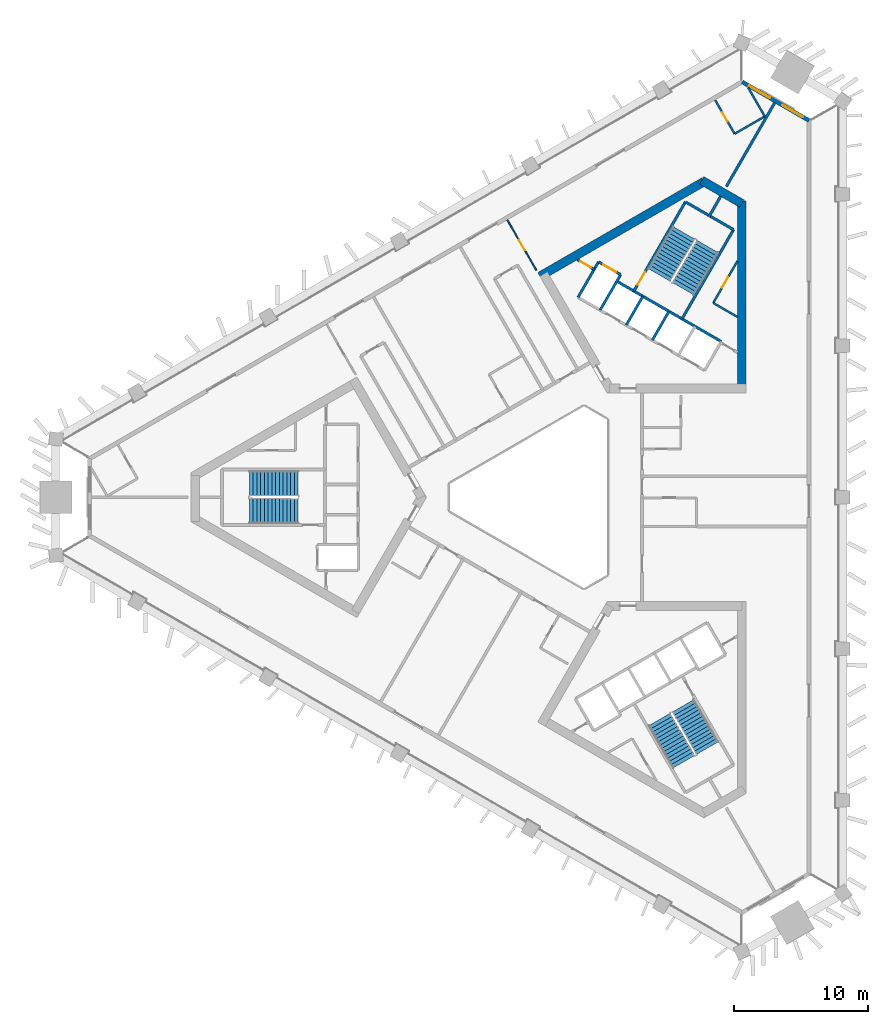
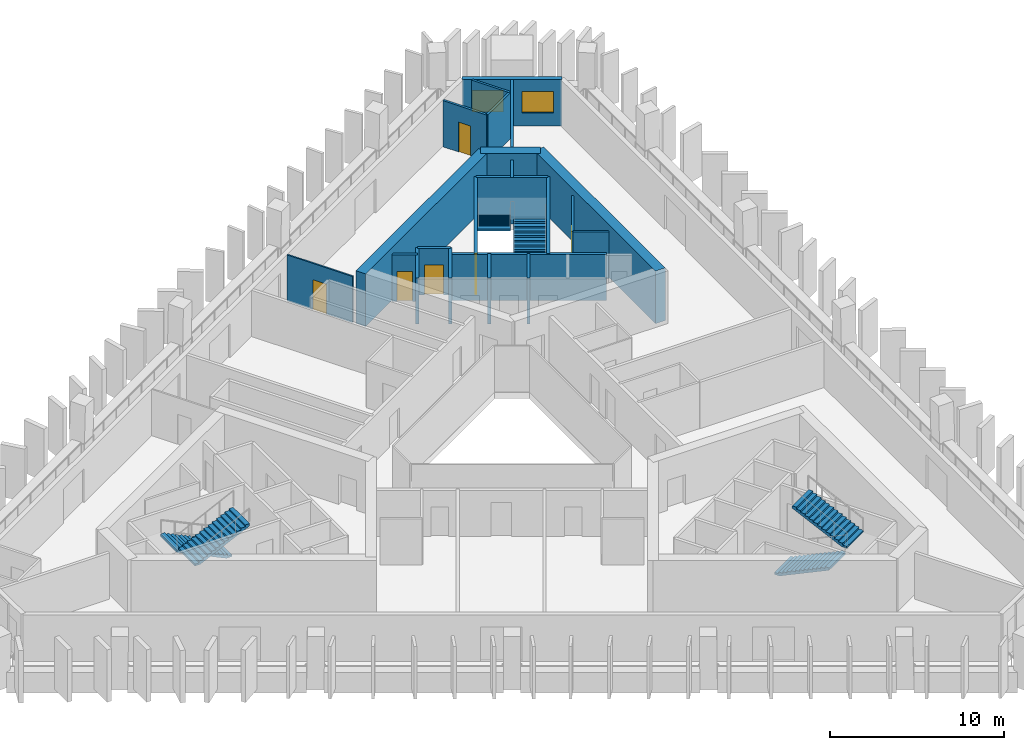
# One storey, part 6 of 10: 22 walls, 6 doors, 6 stair flights, 2 windows, 8 openings, 3 elements without a shape of their own.
"""IFC4 building model written with IfcOpenShell, lengths in metres."""

from ifc_helpers import new_model, si_unit, direction, frame, frame_2d, origin, place, context, subcontext, project, spatial, polyline, rectangle, outline, extrude, material, layer, layer_set, type_object, element, fill, aggregate, save


model = new_model("IFC4")

# Units and contexts
model_context = context("Model", 3, precision=1e-05, world=origin(), true_north=direction((0.0, 1.0)))
body_context = subcontext(model_context, "Body", "Model", "MODEL_VIEW")
ifc_project = project(units=[si_unit("LENGTHUNIT", "METRE"), si_unit("AREAUNIT", "SQUARE_METRE"), si_unit("VOLUMEUNIT", "CUBIC_METRE"), si_unit("PLANEANGLEUNIT", "RADIAN"), si_unit("MASSUNIT", "GRAM", prefix="KILO")], contexts=[model_context])

# Site, building, storey
site_placement = place(None, origin())
site = spatial("IfcSite", under=ifc_project, at=site_placement, CompositionType="ELEMENT")
building_placement = place(site_placement, origin())
building = spatial("IfcBuilding", under=site, at=building_placement, Name="Jabali Bay Hotel Tower and Convention Centre", CompositionType="ELEMENT")
storey_placement = place(building_placement, frame((0.0, 0.0, 125.300048828125)))
storey = spatial("IfcBuildingStorey", under=building, at=storey_placement, Name="L30", CompositionType="ELEMENT", Elevation=125.300048828125)

# Wall
ifc_material_1 = material(Name="Concrete C40", Category="concrete")
ifc_layer_1 = layer(ifc_material_1, 0.199951171875)
ifc_layer_set_1 = layer_set([ifc_layer_1], Name="Concrete C40")
wall_type_1 = type_object("IfcWallType", Name="Core partition wall 200", PredefinedType="PARTITIONING", material=ifc_layer_set_1)
wall_1_placement = place(storey_placement, frame((87.090087890625, 100.9404296875, 0.0), z_axis=(0.0, 0.0, 1.0), x_axis=(0.499944938281, 0.866057191349, 0.0)))
element("IfcWall", 1, at=wall_1_placement, inside=storey, type_object=wall_type_1, Name="Core wall 1.5 L30", PredefinedType="PARTITIONING", context=body_context, shape_type="SweptSolid", body=[
    extrude(rectangle(XDim=1.773193359375, YDim=0.199951171875, at=frame_2d((0.88671875, 0.0))), origin(), (0.0, 0.0, 1.0), 3.25),
])

# Wall, opening, door
wall_2_placement = place(storey_placement, frame((78.5302734375, 97.014404296875, 0.0), z_axis=(0.0, 0.0, 1.0), x_axis=(-0.866045896294, 0.499964504253, 0.0)))
wall_2 = element("IfcWall", 2, at=wall_2_placement, inside=storey, type_object=wall_type_1, Name="Core wall 1.12 L30", PredefinedType="PARTITIONING", context=body_context, shape_type="SweptSolid", body=[
    extrude(rectangle(XDim=1.455078125, YDim=0.199951171875, at=frame_2d((0.7275390625, 0.0))), origin(), (0.0, 0.0, 1.0), 3.25),
])
opening_1_placement = place(wall_2_placement, frame((0.277587890625, 0.0, 0.0)))
opening_1 = element("IfcOpeningElement", 3, at=opening_1_placement, cuts=wall_2, Name="Opening D670", PredefinedType="OPENING", context=body_context, shape_type="SweptSolid", body=[
    extrude(rectangle(XDim=0.89990234375, YDim=2.10009765625, at=frame_2d((0.449951171875, 1.050048828125))), frame((0.0, 0.1103515625, 0.0), z_axis=(0.0, -1.0, 0.0), x_axis=(1.0, 0.0, 0.0)), (0.0, 0.0, 1.0), 0.220947265625),
])
ifc_material_2 = material(Name="Fire-rated steel door", Category="steel")
door_type_1 = type_object("IfcDoorType", Name="Vestibule fire door 900 x 2100", OperationType="NOTDEFINED", PredefinedType="NOTDEFINED", material=ifc_material_2)
door_1_placement = place(opening_1_placement, origin())
door_1 = element("IfcDoor", 4, at=door_1_placement, inside=storey, type_object=door_type_1, Name="Vestibule fire door D670", OperationType="SINGLE_SWING_LEFT", OverallHeight=2.10009765625, OverallWidth=0.89990234375, PredefinedType="NOTDEFINED", context=body_context, shape_type="SweptSolid", body=[
    extrude(rectangle(XDim=0.89990234375, YDim=2.10009765625, at=frame_2d((0.449951171875, 1.050048828125))), frame((0.0, 0.02490234375, 0.0), z_axis=(0.0, -1.0, 0.0), x_axis=(1.0, 0.0, 0.0)), (0.0, 0.0, 1.0), 0.050048828125),
])
fill(opening_1, door_1)

ifc_material_3 = material(Name="Fire-rated board partition")
ifc_layer_2 = layer(ifc_material_3, 0.14990234375)
ifc_layer_set_2 = layer_set([ifc_layer_2], Name="Fire-rated board partition")
wall_type_2 = type_object("IfcWallType", Name="Core room partition 150", PredefinedType="PARTITIONING", material=ifc_layer_set_2)
wall_3_placement = place(storey_placement, frame((87.421142578125, 94.513916015625, 0.0), z_axis=(0.0, 0.0, 1.0), x_axis=(0.499993116331, 0.866029378036, 0.0)))
wall_3 = element("IfcWall", 5, at=wall_3_placement, inside=storey, type_object=wall_type_2, Name="Core wall 1.1 L30", PredefinedType="PARTITIONING", context=body_context, shape_type="SweptSolid", body=[
    extrude(rectangle(XDim=3.61767578125, YDim=0.14990234375, at=frame_2d((1.808837890625, 0.0))), origin(), (0.0, 0.0, 1.0), 3.25),
])
opening_2_placement = place(wall_3_placement, frame((1.33154296875, 0.0, 0.0)))
opening_2 = element("IfcOpeningElement", 6, at=opening_2_placement, cuts=wall_3, Name="Opening D673", PredefinedType="OPENING", context=body_context, shape_type="SweptSolid", body=[
    extrude(rectangle(XDim=0.89990234375, YDim=2.10009765625, at=frame_2d((0.449951171875, 1.050048828125))), frame((0.0, 0.08544921875, 0.0), z_axis=(0.0, -1.0, 0.0), x_axis=(1.0, 0.0, 0.0)), (0.0, 0.0, 1.0), 0.1708984375),
])
door_type_2 = type_object("IfcDoorType", Name="Core room door 900 x 2100", OperationType="NOTDEFINED", PredefinedType="NOTDEFINED", material=ifc_material_2)
door_2_placement = place(opening_2_placement, origin())
door_2 = element("IfcDoor", 7, at=door_2_placement, inside=storey, type_object=door_type_2, Name="Core room door D673", OperationType="SINGLE_SWING_LEFT", OverallHeight=2.10009765625, OverallWidth=0.89990234375, PredefinedType="NOTDEFINED", context=body_context, shape_type="SweptSolid", body=[
    extrude(rectangle(XDim=0.89990234375, YDim=2.10009765625, at=frame_2d((0.449951171875, 1.050048828125))), frame((0.0, 0.02490234375, 0.0), z_axis=(0.0, -1.0, 0.0), x_axis=(1.0, 0.0, 0.0)), (0.0, 0.0, 1.0), 0.050048828125),
])
fill(opening_2, door_2)

# Walls
wall_4_placement = place(storey_placement, frame((89.22998046875, 93.469482421875, 0.0), z_axis=(0.0, 0.0, 1.0), x_axis=(-0.866004557827, 0.500036104519, 0.0)))
element("IfcWall", 8, at=wall_4_placement, inside=storey, type_object=wall_type_2, Name="Core wall 1.15 L30", PredefinedType="PARTITIONING", context=body_context, shape_type="SweptSolid", body=[
    extrude(rectangle(XDim=2.088623046875, YDim=0.14990234375, at=frame_2d((1.04443359375, 0.0))), origin(), (0.0, 0.0, 1.0), 3.25),
])
ifc_layer_3 = layer(ifc_material_1, 0.199951171875)
ifc_layer_set_3 = layer_set([ifc_layer_3], Name="Concrete C40")
wall_type_3 = type_object("IfcWallType", Name="Core stair wall 200", PredefinedType="SOLIDWALL", material=ifc_layer_set_3)
wall_5_placement = place(storey_placement, frame((85.0869140625, 93.3212890625, 0.0), z_axis=(0.0, 0.0, 1.0), x_axis=(0.500019787375, 0.866013979237, 0.0)))
element("IfcWall", 9, at=wall_5_placement, inside=storey, type_object=wall_type_3, Name="Core wall 1.3 L30", PredefinedType="SOLIDWALL", context=body_context, shape_type="SweptSolid", body=[
    extrude(rectangle(XDim=7.699951171875, YDim=0.199951171875, at=frame_2d((3.85009765625, 0.0))), origin(), (0.0, 0.0, 1.0), 3.25),
])
for number, where, z_axis, x_axis, name in (
    (10, (82.872802734375, 91.73583984375, 0.0), (0.0, 0.0, 1.0), (0.499961042966, 0.86604789447, 0.0), "Core wall 1.4 L30"),
    (11, (80.924072265625, 92.86083984375, 0.0), (0.0, 0.0, 1.0), (0.499961042966, 0.86604789447, 0.0), "Core wall 1.6 L30"),
):
    element("IfcWall", number, at=place(storey_placement, frame(where, z_axis=z_axis, x_axis=x_axis)), inside=storey, type_object=wall_type_3, Name=name, PredefinedType="SOLIDWALL", context=body_context, shape_type="SweptSolid", body=[
        extrude(rectangle(XDim=2.480224609375, YDim=0.199951171875, at=frame_2d((1.240234375, 0.0))), origin(), (0.0, 0.0, 1.0), 3.25),
    ])

# Wall, opening, door
wall_6_placement = place(storey_placement, frame((81.492919921875, 95.396240234375, 0.0), z_axis=(0.0, 0.0, 1.0), x_axis=(0.500006057782, 0.866021906294, 0.0)))
wall_6 = element("IfcWall", 12, at=wall_6_placement, inside=storey, type_object=wall_type_3, Name="Core wall 1.7 L30", PredefinedType="SOLIDWALL", context=body_context, shape_type="SweptSolid", body=[
    extrude(rectangle(XDim=7.7001953125, YDim=0.199951171875, at=frame_2d((3.85009765625, 0.0))), origin(), (0.0, 0.0, 1.0), 3.25),
])
opening_3_placement = place(wall_6_placement, frame((0.550048828125, 0.0, 0.0)))
opening_3 = element("IfcOpeningElement", 13, at=opening_3_placement, cuts=wall_6, Name="Opening D672", PredefinedType="OPENING", context=body_context, shape_type="SweptSolid", body=[
    extrude(rectangle(XDim=1.10009765625, YDim=2.10009765625, at=frame_2d((0.550048828125, 1.050048828125))), frame((0.0, 0.1103515625, 0.0), z_axis=(0.0, -1.0, 0.0), x_axis=(1.0, 0.0, 0.0)), (0.0, 0.0, 1.0), 0.220947265625),
])
door_type_3 = type_object("IfcDoorType", Name="Stair fire door 1100 x 2100", OperationType="NOTDEFINED", PredefinedType="NOTDEFINED", material=ifc_material_2)
door_3_placement = place(opening_3_placement, origin())
door_3 = element("IfcDoor", 14, at=door_3_placement, inside=storey, type_object=door_type_3, Name="Stair fire door D672", OperationType="SINGLE_SWING_RIGHT", OverallHeight=2.10009765625, OverallWidth=1.10009765625, PredefinedType="NOTDEFINED", context=body_context, shape_type="SweptSolid", body=[
    extrude(rectangle(XDim=1.10009765625, YDim=2.10009765625, at=frame_2d((0.550048828125, 1.050048828125))), frame((0.0, 0.02490234375, 0.0), z_axis=(0.0, -1.0, 0.0), x_axis=(1.0, 0.0, 0.0)), (0.0, 0.0, 1.0), 0.050048828125),
])
fill(opening_3, door_3)

# Walls
for number, where, z_axis, x_axis, name in (
    (15, (78.9755859375, 93.98583984375, 0.0), (0.0, 0.0, 1.0), (0.499944174705, 0.866057632134, 0.0), "Core wall 1.8 L30"),
    (16, (77.330078125, 94.93603515625, 0.0), (0.0, 0.0, 1.0), (0.500038867431, 0.8660029625, 0.0), "Core wall 1.9 L30"),
):
    element("IfcWall", number, at=place(storey_placement, frame(where, z_axis=z_axis, x_axis=x_axis)), inside=storey, type_object=wall_type_3, Name=name, PredefinedType="SOLIDWALL", context=body_context, shape_type="SweptSolid", body=[
        extrude(rectangle(XDim=3.050048828125, YDim=0.199951171875, at=frame_2d((1.52490234375, 0.0))), origin(), (0.0, 0.0, 1.0), 3.25),
    ])
wall_7_placement = place(storey_placement, frame((88.009765625, 91.6337890625, 0.0), z_axis=(0.0, 0.0, 1.0), x_axis=(-0.866024315419, 0.5000018851, 0.0)))
element("IfcWall", 17, at=wall_7_placement, inside=storey, type_object=wall_type_3, Name="Core wall 1.13 L30", PredefinedType="SOLIDWALL", context=body_context, shape_type="SweptSolid", body=[
    extrude(rectangle(XDim=9.0, YDim=0.199951171875, at=frame_2d((4.5, 0.0))), origin(), (0.0, 0.0, 1.0), 3.25),
])

# Wall, opening, door
wall_8_placement = place(storey_placement, frame((80.50048828125, 96.62744140625, 0.0), z_axis=(0.0, 0.0, 1.0), x_axis=(-0.86601224135, 0.500022797313, 0.0)))
wall_8 = element("IfcWall", 18, at=wall_8_placement, inside=storey, type_object=wall_type_3, Name="Core wall 1.14 L30", PredefinedType="SOLIDWALL", context=body_context, shape_type="SweptSolid", body=[
    extrude(rectangle(XDim=1.89990234375, YDim=0.199951171875, at=frame_2d((0.949951171875, 0.0))), origin(), (0.0, 0.0, 1.0), 3.25),
])
opening_4_placement = place(wall_8_placement, frame((0.39990234375, 0.0, 0.0)))
opening_4 = element("IfcOpeningElement", 19, at=opening_4_placement, cuts=wall_8, Name="Opening LD10-L30", PredefinedType="OPENING", context=body_context, shape_type="SweptSolid", body=[
    extrude(rectangle(XDim=1.10009765625, YDim=2.10009765625, at=frame_2d((0.550048828125, 1.050048828125))), frame((0.0, 0.1103515625, 0.0), z_axis=(0.0, -1.0, 0.0), x_axis=(1.0, 0.0, 0.0)), (0.0, 0.0, 1.0), 0.220947265625),
])
ifc_material_4 = material(Name="Stainless steel landing door", Category="steel")
door_type_4 = type_object("IfcDoorType", Name="Landing door 1100 x 2100", OperationType="NOTDEFINED", PredefinedType="NOTDEFINED", material=ifc_material_4)
door_4_placement = place(opening_4_placement, origin())
door_4 = element("IfcDoor", 20, at=door_4_placement, inside=storey, type_object=door_type_4, Name="Landing doors LD10-L30", OperationType="SLIDING_TO_RIGHT", OverallHeight=2.10009765625, OverallWidth=1.10009765625, PredefinedType="NOTDEFINED", context=body_context, shape_type="SweptSolid", body=[
    extrude(rectangle(XDim=1.10009765625, YDim=2.10009765625, at=frame_2d((0.550048828125, 1.050048828125))), frame((0.0, 0.02490234375, 0.0), z_axis=(0.0, -1.0, 0.0), x_axis=(1.0, 0.0, 0.0)), (0.0, 0.0, 1.0), 0.050048828125),
])
fill(opening_4, door_4)

# Walls
wall_9_placement = place(storey_placement, frame((88.93701171875, 99.989501953125, 0.0), z_axis=(0.0, 0.0, 1.0), x_axis=(-0.866004344652, 0.500036473714, 0.0)))
element("IfcWall", 21, at=wall_9_placement, inside=storey, type_object=wall_type_3, Name="Core wall 1.16 L30", PredefinedType="SOLIDWALL", context=body_context, shape_type="SweptSolid", body=[
    extrude(rectangle(XDim=4.150146484375, YDim=0.199951171875, at=frame_2d((2.0751953125, 0.0))), origin(), (0.0, 0.0, 1.0), 3.25),
])
ifc_material_5 = material(Name="Concrete C60", Category="concrete")
ifc_layer_4 = layer(ifc_material_5, 0.64990234375)
ifc_layer_set_4 = layer_set([ifc_layer_4], Name="Concrete C60")
wall_type_4 = type_object("IfcWallType", Name="Core wall 650", PredefinedType="SHEAR", material=ifc_layer_set_4)
wall_10_placement = place(storey_placement, frame((89.554931640625, 88.119140625, 0.0), z_axis=(0.0, 0.0, 1.0), x_axis=(0.0, 1.0, 0.0)))
element("IfcWall", 22, at=wall_10_placement, inside=storey, type_object=wall_type_4, Name="Core wall 2.2 L30", PredefinedType="SHEAR", context=body_context, shape_type="SweptSolid", body=[
    extrude(rectangle(XDim=14.008544921875, YDim=0.64990234375, at=frame_2d((7.00439453125, 0.0))), origin(), (0.0, 0.0, 1.0), 3.699951171875),
])
wall_11_placement = place(storey_placement, frame((89.554931640625, 101.93994140625, 0.0), z_axis=(0.0, 0.0, 1.0), x_axis=(-0.866031550877, 0.499989352773, 0.0)))
element("IfcWall", 23, at=wall_11_placement, inside=storey, type_object=wall_type_4, Name="Core wall 2.3 L30", PredefinedType="SHEAR", context=body_context, shape_type="SweptSolid", body=[
    extrude(rectangle(XDim=3.45751953125, YDim=0.64990234375, at=frame_2d((1.728759765625, 0.0))), origin(), (0.0, 0.0, 1.0), 3.699951171875),
])
wall_12_placement = place(storey_placement, frame((86.72314453125, 103.574951171875, 0.0), z_axis=(0.0, 0.0, 1.0), x_axis=(-0.866031824457, -0.499988878904, 0.0)))
element("IfcWall", 24, at=wall_12_placement, inside=storey, type_object=wall_type_4, Name="Core wall 2.4 L30", PredefinedType="SHEAR", context=body_context, shape_type="SweptSolid", body=[
    extrude(rectangle(XDim=14.145751953125, YDim=0.64990234375, at=frame_2d((7.07275390625, 0.0))), origin(), (0.0, 0.0, 1.0), 3.699951171875),
])

# Wall, openings, windows
ifc_layer_5 = layer(ifc_material_1, 0.300048828125)
ifc_layer_set_5 = layer_set([ifc_layer_5], Name="Concrete C40")
wall_type_5 = type_object("IfcWallType", Name="External wall 300", PredefinedType="SOLIDWALL", material=ifc_layer_set_5)
wall_13_placement = place(storey_placement, frame((89.587646484375, 111.026611328125, 0.0), z_axis=(0.0, 0.0, 1.0), x_axis=(0.866033125095, -0.499986626058, 0.0)))
wall_13 = element("IfcWall", 25, at=wall_13_placement, inside=storey, type_object=wall_type_5, Name="External wall north-east chamfer L30", PredefinedType="SOLIDWALL", context=body_context, shape_type="SweptSolid", body=[
    extrude(rectangle(XDim=5.760009765625, YDim=0.300048828125, at=frame_2d((2.8798828125, 0.0))), origin(), (0.0, 0.0, 1.0), 3.25),
])
opening_5_placement = place(wall_13_placement, frame((0.579345703125, 0.0, 0.89990234375)))
opening_5 = element("IfcOpeningElement", 26, at=opening_5_placement, cuts=wall_13, Name="Opening W1", PredefinedType="OPENING", context=body_context, shape_type="SweptSolid", body=[
    extrude(rectangle(XDim=1.800048828125, YDim=1.5, at=frame_2d((0.89990234375, 0.75))), frame((0.0, 0.16064453125, 0.0), z_axis=(0.0, -1.0, 0.0), x_axis=(1.0, 0.0, 0.0)), (0.0, 0.0, 1.0), 0.321044921875),
])
opening_6_placement = place(wall_13_placement, frame((3.462646484375, 0.0, 0.89990234375)))
opening_6 = element("IfcOpeningElement", 27, at=opening_6_placement, cuts=wall_13, Name="Opening W1", PredefinedType="OPENING", context=body_context, shape_type="SweptSolid", body=[
    extrude(rectangle(XDim=1.800048828125, YDim=1.5, at=frame_2d((0.89990234375, 0.75))), frame((0.0, 0.16064453125, 0.0), z_axis=(0.0, -1.0, 0.0), x_axis=(1.0, 0.0, 0.0)), (0.0, 0.0, 1.0), 0.321044921875),
])
ifc_material_6 = material(Name="Glass", Category="glass")
window_type = type_object("IfcWindowType", Name="Window 1800 x 1500", PartitioningType="SINGLE_PANEL", PredefinedType="WINDOW", material=ifc_material_6)
window_1_placement = place(opening_5_placement, origin())
window_1 = element("IfcWindow", 28, at=window_1_placement, inside=storey, type_object=window_type, Name="Window 3004", OverallHeight=1.5, OverallWidth=1.800048828125, PartitioningType="SINGLE_PANEL", PredefinedType="WINDOW", context=body_context, shape_type="SweptSolid", body=[
    extrude(rectangle(XDim=1.800048828125, YDim=1.5, at=frame_2d((0.89990234375, 0.75))), frame((0.0, 0.030029296875, 0.0), z_axis=(0.0, -1.0, 0.0), x_axis=(1.0, 0.0, 0.0)), (0.0, 0.0, 1.0), 0.06005859375),
])
fill(opening_5, window_1)
window_2_placement = place(opening_6_placement, origin())
window_2 = element("IfcWindow", 29, at=window_2_placement, inside=storey, type_object=window_type, Name="Window 3003", OverallHeight=1.5, OverallWidth=1.800048828125, PartitioningType="SINGLE_PANEL", PredefinedType="WINDOW", context=body_context, shape_type="SweptSolid", body=[
    extrude(rectangle(XDim=1.800048828125, YDim=1.5, at=frame_2d((0.89990234375, 0.75))), frame((0.0, 0.030029296875, 0.0), z_axis=(0.0, -1.0, 0.0), x_axis=(1.0, 0.0, 0.0)), (0.0, 0.0, 1.0), 0.06005859375),
])
fill(opening_6, window_2)

# Wall, opening, door
ifc_material_7 = material(Name="Plasterboard on steel stud", Category="steel")
ifc_layer_6 = layer(ifc_material_7, 0.10009765625)
ifc_layer_set_6 = layer_set([ifc_layer_6], Name="Plasterboard on steel stud")
wall_type_6 = type_object("IfcWallType", Name="Partition 100 unit", PredefinedType="PARTITIONING", material=ifc_layer_set_6)
wall_14_placement = place(storey_placement, frame((74.21044921875, 96.955810546875, 0.0), z_axis=(0.0, 0.0, 1.0), x_axis=(-0.499955758317, 0.866050945225, 0.0)))
wall_14 = element("IfcWall", 30, at=wall_14_placement, inside=storey, type_object=wall_type_6, Name="Partition P02 L30 012", PredefinedType="PARTITIONING", context=body_context, shape_type="SweptSolid", body=[
    extrude(rectangle(XDim=4.34814453125, YDim=0.10009765625, at=frame_2d((2.174072265625, 0.0))), origin(), (0.0, 0.0, 1.0), 3.25),
])
opening_7_placement = place(wall_14_placement, frame((1.72412109375, 0.0, 0.0)))
opening_7 = element("IfcOpeningElement", 31, at=opening_7_placement, cuts=wall_14, Name="Opening 3008", PredefinedType="OPENING", context=body_context, shape_type="SweptSolid", body=[
    extrude(rectangle(XDim=0.89990234375, YDim=2.10009765625, at=frame_2d((0.449951171875, 1.050048828125))), frame((0.0, 0.060546875, 0.0), z_axis=(0.0, -1.0, 0.0), x_axis=(1.0, 0.0, 0.0)), (0.0, 0.0, 1.0), 0.12109375),
])
ifc_material_8 = material(Name="Timber", Category="wood")
door_type_5 = type_object("IfcDoorType", Name="Internal door 900 x 2100", OperationType="NOTDEFINED", PredefinedType="NOTDEFINED", material=ifc_material_8)
door_5_placement = place(opening_7_placement, origin())
door_5 = element("IfcDoor", 32, at=door_5_placement, inside=storey, type_object=door_type_5, Name="Door 3008", OperationType="SINGLE_SWING_RIGHT", OverallHeight=2.10009765625, OverallWidth=0.89990234375, PredefinedType="NOTDEFINED", context=body_context, shape_type="SweptSolid", body=[
    extrude(rectangle(XDim=0.89990234375, YDim=2.10009765625, at=frame_2d((0.449951171875, 1.050048828125))), frame((0.0, 0.02490234375, 0.0), z_axis=(0.0, -1.0, 0.0), x_axis=(1.0, 0.0, 0.0)), (0.0, 0.0, 1.0), 0.050048828125),
])
fill(opening_7, door_5)

# Walls
ifc_layer_7 = layer(ifc_material_7, 0.14990234375)
ifc_layer_set_7 = layer_set([ifc_layer_7], Name="Plasterboard on steel stud")
wall_type_7 = type_object("IfcWallType", Name="Partition 150 wet", PredefinedType="PARTITIONING", material=ifc_layer_set_7)
wall_15_placement = place(storey_placement, frame((90.031005859375, 110.5986328125, 0.0), z_axis=(0.0, 0.0, 1.0), x_axis=(0.500031783729, -0.866007052662, 0.0)))
element("IfcWall", 33, at=wall_15_placement, inside=storey, type_object=wall_type_7, Name="Partition P03 L30 017", PredefinedType="PARTITIONING", context=body_context, shape_type="SweptSolid", body=[
    extrude(rectangle(XDim=2.482177734375, YDim=0.14990234375, at=frame_2d((1.2412109375, 0.0))), origin(), (0.0, 0.0, 1.0), 3.25),
])
wall_16_placement = place(storey_placement, frame((91.272216796875, 108.448974609375, 0.0), z_axis=(0.0, 0.0, 1.0), x_axis=(-0.866021400173, -0.500006934395, 0.0)))
element("IfcWall", 34, at=wall_16_placement, inside=storey, type_object=wall_type_7, Name="Partition P03 L30 018", PredefinedType="PARTITIONING", context=body_context, shape_type="SweptSolid", body=[
    extrude(rectangle(XDim=2.60009765625, YDim=0.14990234375, at=frame_2d((1.300048828125, 0.0))), origin(), (0.0, 0.0, 1.0), 3.25),
])

# Wall, opening, door
wall_17_placement = place(storey_placement, frame((89.0205078125, 107.14892578125, 0.0), z_axis=(0.0, 0.0, 1.0), x_axis=(-0.499987231761, 0.866032775405, 0.0)))
wall_17 = element("IfcWall", 35, at=wall_17_placement, inside=storey, type_object=wall_type_7, Name="Partition P03 L30 019", PredefinedType="PARTITIONING", context=body_context, shape_type="SweptSolid", body=[
    extrude(rectangle(XDim=2.89990234375, YDim=0.14990234375, at=frame_2d((1.449951171875, 0.0))), origin(), (0.0, 0.0, 1.0), 3.25),
])
opening_8_placement = place(wall_17_placement, frame((1.050048828125, 0.0, 0.0)))
opening_8 = element("IfcOpeningElement", 36, at=opening_8_placement, cuts=wall_17, Name="Opening 3009", PredefinedType="OPENING", context=body_context, shape_type="SweptSolid", body=[
    extrude(rectangle(XDim=0.800048828125, YDim=2.10009765625, at=frame_2d((0.39990234375, 1.050048828125))), frame((0.0, 0.08544921875, 0.0), z_axis=(0.0, -1.0, 0.0), x_axis=(1.0, 0.0, 0.0)), (0.0, 0.0, 1.0), 0.1708984375),
])
door_type_6 = type_object("IfcDoorType", Name="En-suite door 800 x 2100", OperationType="NOTDEFINED", PredefinedType="NOTDEFINED", material=ifc_material_8)
door_6_placement = place(opening_8_placement, origin())
door_6 = element("IfcDoor", 37, at=door_6_placement, inside=storey, type_object=door_type_6, Name="Door 3009", OperationType="SINGLE_SWING_RIGHT", OverallHeight=2.10009765625, OverallWidth=0.800048828125, PredefinedType="NOTDEFINED", context=body_context, shape_type="SweptSolid", body=[
    extrude(rectangle(XDim=0.800048828125, YDim=2.10009765625, at=frame_2d((0.39990234375, 1.050048828125))), frame((0.0, 0.02490234375, 0.0), z_axis=(0.0, -1.0, 0.0), x_axis=(1.0, 0.0, 0.0)), (0.0, 0.0, 1.0), 0.050048828125),
])
fill(opening_8, door_6)

# Wall
ifc_layer_8 = layer(ifc_material_7, 0.199951171875)
ifc_layer_set_8 = layer_set([ifc_layer_8], Name="Plasterboard on steel stud")
wall_type_8 = type_object("IfcWallType", Name="Partition 200 party", PredefinedType="PARTITIONING", material=ifc_layer_set_8)
wall_18_placement = place(storey_placement, frame((92.00732421875, 109.45751953125, 0.0), z_axis=(0.0, 0.0, 1.0), x_axis=(-0.499987137981, -0.866032829547, 0.0)))
element("IfcWall", 38, at=wall_18_placement, inside=storey, type_object=wall_type_8, Name="Partition P01 L30 010", PredefinedType="PARTITIONING", context=body_context, shape_type="SweptSolid", body=[
    extrude(rectangle(XDim=7.212646484375, YDim=0.199951171875, at=frame_2d((3.6064453125, 0.0))), origin(), (0.0, 0.0, 1.0), 3.25),
])

# Stair, stair flights
stair_type = type_object("IfcStairType", Name="Exit stair 1900", PredefinedType="HALF_TURN_STAIR", material=ifc_material_1)
stair_1_placement = place(storey_placement, origin())
stair_1 = element("IfcStair", 39, at=stair_1_placement, inside=storey, type_object=stair_type, Name="L30 Exit Stair 1", PredefinedType="HALF_TURN_STAIR")
stair_flight_type = type_object("IfcStairFlightType", Name="Stair flight concrete 150", PredefinedType="STRAIGHT", material=ifc_material_1)
stair_flight_1_placement = place(storey_placement, frame((56.419921875, 81.02490234375, 0.0), z_axis=(0.0, 0.0, 1.0), x_axis=(-1.0, 0.0, 0.0)))
stair_flight_1 = element("IfcStairFlight", 40, at=stair_flight_1_placement, type_object=stair_flight_type, Name="ST1 flight 1", NumberOfRisers=14, NumberOfTreads=13, PredefinedType="STRAIGHT", RiserHeight=0.132142857, TreadLength=0.28, context=body_context, shape_type="SweptSolid", body=[
    extrude(outline(polyline([(0.0, 0.0), (0.0, 0.132080078125), (0.280029296875, 0.132080078125), (0.280029296875, 0.264404296875), (0.56005859375, 0.264404296875), (0.56005859375, 0.396484375), (0.840087890625, 0.396484375), (0.840087890625, 0.528564453125), (1.1201171875, 0.528564453125), (1.1201171875, 0.66064453125), (1.39990234375, 0.66064453125), (1.39990234375, 0.79296875), (1.679931640625, 0.79296875), (1.679931640625, 0.925048828125), (1.9599609375, 0.925048828125), (1.9599609375, 1.05712890625), (2.239990234375, 1.05712890625), (2.239990234375, 1.189208984375), (2.52001953125, 1.189208984375), (2.52001953125, 1.321533203125), (2.800048828125, 1.321533203125), (2.800048828125, 1.45361328125), (3.080078125, 1.45361328125), (3.080078125, 1.585693359375), (3.360107421875, 1.585693359375), (3.360107421875, 1.7177734375), (3.639892578125, 1.7177734375), (3.639892578125, 1.85009765625), (3.639892578125, 1.552001953125), (0.351318359375, 0.0), (0.0, 0.0)])), frame((0.0, 0.949951171875, 0.0), z_axis=(0.0, -1.0, 0.0), x_axis=(1.0, 0.0, 0.0)), (0.0, 0.0, 1.0), 1.89990234375),
])
stair_flight_2_placement = place(storey_placement, frame((52.780029296875, 78.97509765625, 1.849853515625), z_axis=(0.0, 0.0, 1.0), x_axis=(1.0, 0.0, 0.0)))
stair_flight_2 = element("IfcStairFlight", 41, at=stair_flight_2_placement, type_object=stair_flight_type, Name="ST1 flight 2", NumberOfRisers=14, NumberOfTreads=13, PredefinedType="STRAIGHT", RiserHeight=0.132142857, TreadLength=0.28, context=body_context, shape_type="SweptSolid", body=[
    extrude(outline(polyline([(0.0, 0.0), (0.0, 0.132080078125), (0.280029296875, 0.132080078125), (0.280029296875, 0.264404296875), (0.56005859375, 0.264404296875), (0.56005859375, 0.396484375), (0.840087890625, 0.396484375), (0.840087890625, 0.528564453125), (1.1201171875, 0.528564453125), (1.1201171875, 0.66064453125), (1.39990234375, 0.66064453125), (1.39990234375, 0.79296875), (1.679931640625, 0.79296875), (1.679931640625, 0.925048828125), (1.9599609375, 0.925048828125), (1.9599609375, 1.05712890625), (2.239990234375, 1.05712890625), (2.239990234375, 1.189208984375), (2.52001953125, 1.189208984375), (2.52001953125, 1.321533203125), (2.800048828125, 1.321533203125), (2.800048828125, 1.45361328125), (3.080078125, 1.45361328125), (3.080078125, 1.585693359375), (3.360107421875, 1.585693359375), (3.360107421875, 1.7177734375), (3.639892578125, 1.7177734375), (3.639892578125, 1.85009765625), (3.639892578125, 1.552001953125), (0.351318359375, 0.0), (0.0, 0.0)])), frame((0.0, 0.949951171875, 0.0), z_axis=(0.0, -1.0, 0.0), x_axis=(1.0, 0.0, 0.0)), (0.0, 0.0, 1.0), 1.89990234375),
])
aggregate(stair_1, [stair_flight_1, stair_flight_2])

stair_2_placement = place(storey_placement, origin())
stair_2 = element("IfcStair", 42, at=stair_2_placement, inside=storey, type_object=stair_type, Name="L30 Exit Stair 2", PredefinedType="HALF_TURN_STAIR")
stair_flight_3_placement = place(storey_placement, frame((85.177734375, 95.578369140625, 0.0), z_axis=(0.0, 0.0, 1.0), x_axis=(0.5, 0.866025403784, 0.0)))
stair_flight_3 = element("IfcStairFlight", 43, at=stair_flight_3_placement, type_object=stair_flight_type, Name="ST2 flight 1", NumberOfRisers=14, NumberOfTreads=13, PredefinedType="STRAIGHT", RiserHeight=0.132142857, TreadLength=0.28, context=body_context, shape_type="SweptSolid", body=[
    extrude(outline(polyline([(0.0, 0.0), (0.0, 0.132080078125), (0.280029296875, 0.132080078125), (0.280029296875, 0.264404296875), (0.56005859375, 0.264404296875), (0.56005859375, 0.396484375), (0.840087890625, 0.396484375), (0.840087890625, 0.528564453125), (1.1201171875, 0.528564453125), (1.1201171875, 0.66064453125), (1.39990234375, 0.66064453125), (1.39990234375, 0.79296875), (1.679931640625, 0.79296875), (1.679931640625, 0.925048828125), (1.9599609375, 0.925048828125), (1.9599609375, 1.05712890625), (2.239990234375, 1.05712890625), (2.239990234375, 1.189208984375), (2.52001953125, 1.189208984375), (2.52001953125, 1.321533203125), (2.800048828125, 1.321533203125), (2.800048828125, 1.45361328125), (3.080078125, 1.45361328125), (3.080078125, 1.585693359375), (3.360107421875, 1.585693359375), (3.360107421875, 1.7177734375), (3.639892578125, 1.7177734375), (3.639892578125, 1.85009765625), (3.639892578125, 1.552001953125), (0.351318359375, 0.0), (0.0, 0.0)])), frame((0.0, 0.949951171875, 0.0), z_axis=(0.0, -1.0, 0.0), x_axis=(1.0, 0.0, 0.0)), (0.0, 0.0, 1.0), 1.89990234375),
])
stair_flight_4_placement = place(storey_placement, frame((85.222412109375, 99.755615234375, 1.849853515625), z_axis=(0.0, 0.0, 1.0), x_axis=(-0.5, -0.866025403784, 0.0)))
stair_flight_4 = element("IfcStairFlight", 44, at=stair_flight_4_placement, type_object=stair_flight_type, Name="ST2 flight 2", NumberOfRisers=14, NumberOfTreads=13, PredefinedType="STRAIGHT", RiserHeight=0.132142857, TreadLength=0.28, context=body_context, shape_type="SweptSolid", body=[
    extrude(outline(polyline([(0.0, 0.0), (0.0, 0.132080078125), (0.280029296875, 0.132080078125), (0.280029296875, 0.264404296875), (0.56005859375, 0.264404296875), (0.56005859375, 0.396484375), (0.840087890625, 0.396484375), (0.840087890625, 0.528564453125), (1.1201171875, 0.528564453125), (1.1201171875, 0.66064453125), (1.39990234375, 0.66064453125), (1.39990234375, 0.79296875), (1.679931640625, 0.79296875), (1.679931640625, 0.925048828125), (1.9599609375, 0.925048828125), (1.9599609375, 1.05712890625), (2.239990234375, 1.05712890625), (2.239990234375, 1.189208984375), (2.52001953125, 1.189208984375), (2.52001953125, 1.321533203125), (2.800048828125, 1.321533203125), (2.800048828125, 1.45361328125), (3.080078125, 1.45361328125), (3.080078125, 1.585693359375), (3.360107421875, 1.585693359375), (3.360107421875, 1.7177734375), (3.639892578125, 1.7177734375), (3.639892578125, 1.85009765625), (3.639892578125, 1.552001953125), (0.351318359375, 0.0), (0.0, 0.0)])), frame((0.0, 0.949951171875, 0.0), z_axis=(0.0, -1.0, 0.0), x_axis=(1.0, 0.0, 0.0)), (0.0, 0.0, 1.0), 1.89990234375),
])
aggregate(stair_2, [stair_flight_3, stair_flight_4])

stair_3_placement = place(storey_placement, origin())
stair_3 = element("IfcStair", 45, at=stair_3_placement, inside=storey, type_object=stair_type, Name="L30 Exit Stair 3", PredefinedType="HALF_TURN_STAIR")
stair_flight_5_placement = place(storey_placement, frame((83.40234375, 63.396728515625, 0.0), z_axis=(0.0, 0.0, 1.0), x_axis=(0.5, -0.866025403784, 0.0)))
stair_flight_5 = element("IfcStairFlight", 46, at=stair_flight_5_placement, type_object=stair_flight_type, Name="ST3 flight 1", NumberOfRisers=14, NumberOfTreads=13, PredefinedType="STRAIGHT", RiserHeight=0.132142857, TreadLength=0.28, context=body_context, shape_type="SweptSolid", body=[
    extrude(outline(polyline([(0.0, 0.0), (0.0, 0.132080078125), (0.280029296875, 0.132080078125), (0.280029296875, 0.264404296875), (0.56005859375, 0.264404296875), (0.56005859375, 0.396484375), (0.840087890625, 0.396484375), (0.840087890625, 0.528564453125), (1.1201171875, 0.528564453125), (1.1201171875, 0.66064453125), (1.39990234375, 0.66064453125), (1.39990234375, 0.79296875), (1.679931640625, 0.79296875), (1.679931640625, 0.925048828125), (1.9599609375, 0.925048828125), (1.9599609375, 1.05712890625), (2.239990234375, 1.05712890625), (2.239990234375, 1.189208984375), (2.52001953125, 1.189208984375), (2.52001953125, 1.321533203125), (2.800048828125, 1.321533203125), (2.800048828125, 1.45361328125), (3.080078125, 1.45361328125), (3.080078125, 1.585693359375), (3.360107421875, 1.585693359375), (3.360107421875, 1.7177734375), (3.639892578125, 1.7177734375), (3.639892578125, 1.85009765625), (3.639892578125, 1.552001953125), (0.351318359375, 0.0), (0.0, 0.0)])), frame((0.0, 0.949951171875, 0.0), z_axis=(0.0, -1.0, 0.0), x_axis=(1.0, 0.0, 0.0)), (0.0, 0.0, 1.0), 1.89990234375),
])
stair_flight_6_placement = place(storey_placement, frame((86.99755859375, 61.26953125, 1.849853515625), z_axis=(0.0, 0.0, 1.0), x_axis=(-0.5, 0.866025403784, 0.0)))
stair_flight_6 = element("IfcStairFlight", 47, at=stair_flight_6_placement, type_object=stair_flight_type, Name="ST3 flight 2", NumberOfRisers=14, NumberOfTreads=13, PredefinedType="STRAIGHT", RiserHeight=0.132142857, TreadLength=0.28, context=body_context, shape_type="SweptSolid", body=[
    extrude(outline(polyline([(0.0, 0.0), (0.0, 0.132080078125), (0.280029296875, 0.132080078125), (0.280029296875, 0.264404296875), (0.56005859375, 0.264404296875), (0.56005859375, 0.396484375), (0.840087890625, 0.396484375), (0.840087890625, 0.528564453125), (1.1201171875, 0.528564453125), (1.1201171875, 0.66064453125), (1.39990234375, 0.66064453125), (1.39990234375, 0.79296875), (1.679931640625, 0.79296875), (1.679931640625, 0.925048828125), (1.9599609375, 0.925048828125), (1.9599609375, 1.05712890625), (2.239990234375, 1.05712890625), (2.239990234375, 1.189208984375), (2.52001953125, 1.189208984375), (2.52001953125, 1.321533203125), (2.800048828125, 1.321533203125), (2.800048828125, 1.45361328125), (3.080078125, 1.45361328125), (3.080078125, 1.585693359375), (3.360107421875, 1.585693359375), (3.360107421875, 1.7177734375), (3.639892578125, 1.7177734375), (3.639892578125, 1.85009765625), (3.639892578125, 1.552001953125), (0.351318359375, 0.0), (0.0, 0.0)])), frame((0.0, 0.949951171875, 0.0), z_axis=(0.0, -1.0, 0.0), x_axis=(1.0, 0.0, 0.0)), (0.0, 0.0, 1.0), 1.89990234375),
])
aggregate(stair_3, [stair_flight_5, stair_flight_6])

save(model, "model.ifc")
